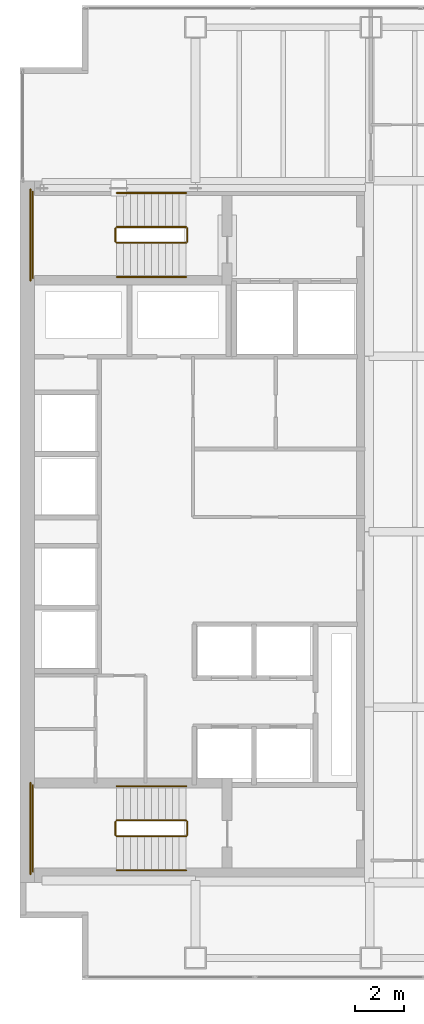
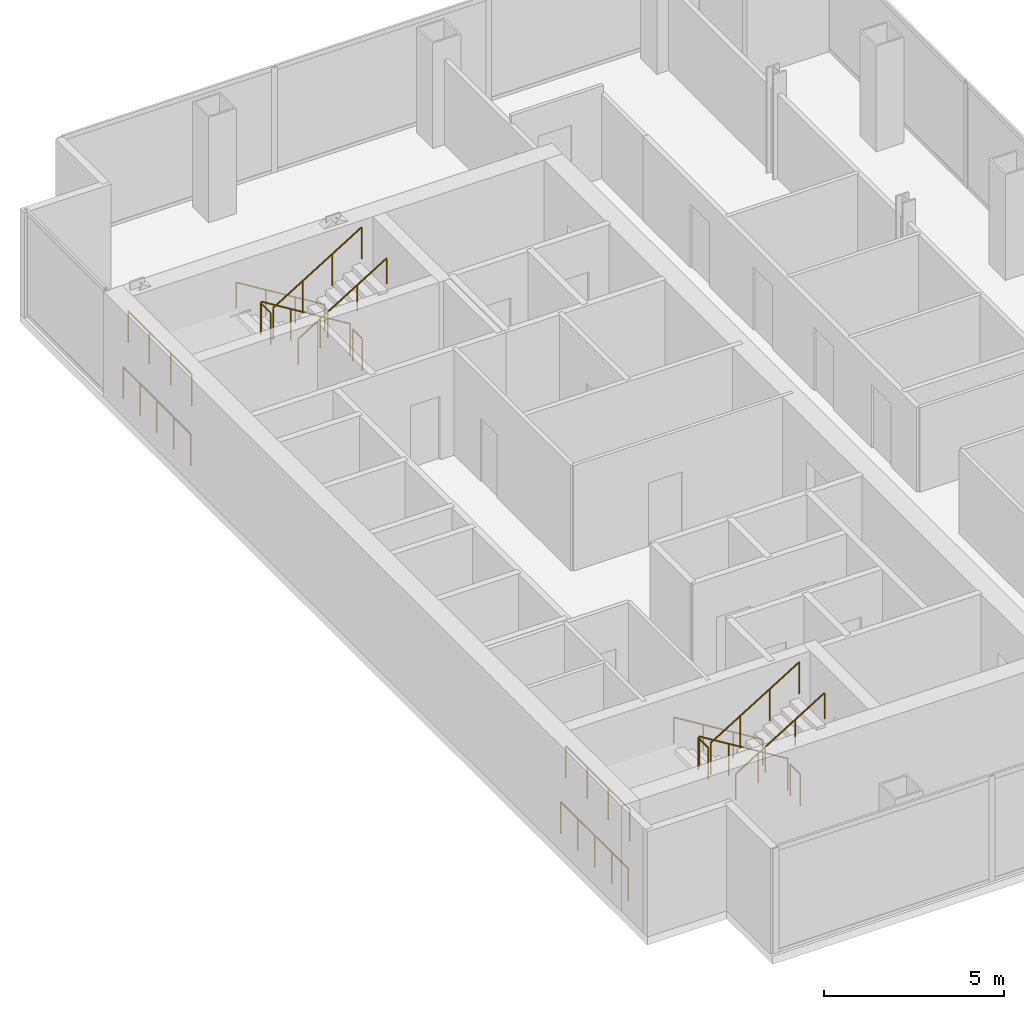
# One storey, part 23 of 23: 16 railings.
"""IFC4 building model written with IfcOpenShell, lengths in metres."""

from ifc_helpers import new_model, si_unit, direction, frame, origin, origin_2d, place, context, subcontext, project, spatial, circle, extrude, material, type_object, element, save


model = new_model("IFC4")

# Units and contexts
model_context = context("Model", 3, precision=1e-05, world=origin(), true_north=direction((0.0, 1.0)))
body_context = subcontext(model_context, "Body", "Model", "MODEL_VIEW")
ifc_project = project(units=[si_unit("LENGTHUNIT", "METRE"), si_unit("AREAUNIT", "SQUARE_METRE"), si_unit("VOLUMEUNIT", "CUBIC_METRE"), si_unit("PLANEANGLEUNIT", "RADIAN"), si_unit("MASSUNIT", "GRAM", prefix="KILO")], contexts=[model_context])

# Site, building, storey
site_placement = place(None, origin())
site = spatial("IfcSite", under=ifc_project, at=site_placement, CompositionType="ELEMENT")
building_placement = place(site_placement, origin())
building = spatial("IfcBuilding", under=site, at=building_placement, Name="Cobrela Telecom Tower", CompositionType="ELEMENT")
storey_placement = place(building_placement, frame((0.0, 0.0, 133.0)))
storey = spatial("IfcBuildingStorey", under=building, at=storey_placement, Name="L33", CompositionType="ELEMENT", Elevation=133.0)

# Railings
ifc_material = material(Name="Steel ASTM A36", Category="steel")
railing_type_1 = type_object("IfcRailingType", Name="RAIL-GUARD-1100", PredefinedType="GUARDRAIL", material=ifc_material)
railing_1_placement = place(storey_placement, frame((6.820068359375, 34.10009765625, 0.175048828125)))
element("IfcRailing", 1, at=railing_1_placement, inside=storey, type_object=railing_type_1, Name="L33 ST1 stair guard 1", PredefinedType="GUARDRAIL", context=body_context, shape_type="SweptSolid", body=[
    extrude(circle(Radius=0.02392578125, at=origin_2d()), frame((0.0, 0.0, 1.076171875), z_axis=(-0.852179220489, 0.0, 0.52325001306), x_axis=(0.0, -1.0, 0.0)), (0.0, 0.0, 1.0), 3.344482421875),
    extrude(circle(Radius=0.02099609375, at=origin_2d()), origin(), (0.0, 0.0, 1.0), 1.052001953125),
    extrude(circle(Radius=0.02099609375, at=origin_2d()), frame((-0.949951171875, 0.0, 0.583251953125)), (0.0, 0.0, 1.0), 1.052001953125),
    extrude(circle(Radius=0.02099609375, at=origin_2d()), frame((-1.900146484375, 0.0, 1.166748046875)), (0.0, 0.0, 1.0), 1.052001953125),
    extrude(circle(Radius=0.02099609375, at=origin_2d()), frame((-2.85009765625, 0.0, 1.75)), (0.0, 0.0, 1.0), 1.052001953125),
])
railing_2_placement = place(storey_placement, frame((3.919921875, 34.050048828125, 1.925048828125)))
element("IfcRailing", 2, at=railing_2_placement, inside=storey, type_object=railing_type_1, Name="L33 ST1 stair guard 2", PredefinedType="GUARDRAIL", context=body_context, shape_type="SweptSolid", body=[
    extrude(circle(Radius=0.02392578125, at=origin_2d()), frame((0.0, 0.0, 1.076171875), z_axis=(0.0, -1.0, 0.0), x_axis=(1.0, 0.0, 0.0)), (0.0, 0.0, 1.0), 0.550048828125),
    extrude(circle(Radius=0.02099609375, at=origin_2d()), origin(), (0.0, 0.0, 1.0), 1.052001953125),
    extrude(circle(Radius=0.02099609375, at=origin_2d()), frame((0.0, -0.550048828125, 0.0)), (0.0, 0.0, 1.0), 1.052001953125),
])
railing_3_placement = place(storey_placement, frame((0.530029296875, 35.550048828125, 1.925048828125)))
element("IfcRailing", 3, at=railing_3_placement, inside=storey, type_object=railing_type_1, Name="L33 ST1 stair guard 3", PredefinedType="GUARDRAIL", context=body_context, shape_type="SweptSolid", body=[
    extrude(circle(Radius=0.02392578125, at=origin_2d()), frame((0.0, 0.0, 1.076171875), z_axis=(0.0, -1.0, 0.0), x_axis=(1.0, 0.0, 0.0)), (0.0, 0.0, 1.0), 3.550048828125),
    extrude(circle(Radius=0.02099609375, at=origin_2d()), origin(), (0.0, 0.0, 1.0), 1.052001953125),
    extrude(circle(Radius=0.02099609375, at=origin_2d()), frame((0.0, -1.183349609375, 0.0)), (0.0, 0.0, 1.0), 1.052001953125),
    extrude(circle(Radius=0.02099609375, at=origin_2d()), frame((0.0, -2.36669921875, 0.0)), (0.0, 0.0, 1.0), 1.052001953125),
    extrude(circle(Radius=0.02099609375, at=origin_2d()), frame((0.0, -3.550048828125, 0.0)), (0.0, 0.0, 1.0), 1.052001953125),
])
railing_4_placement = place(storey_placement, frame((3.969970703125, 33.449951171875, 2.10009765625)))
element("IfcRailing", 4, at=railing_4_placement, inside=storey, type_object=railing_type_1, Name="L33 ST1 stair guard 4", PredefinedType="GUARDRAIL", context=body_context, shape_type="SweptSolid", body=[
    extrude(circle(Radius=0.02392578125, at=origin_2d()), frame((0.0, 0.0, 1.076171875), z_axis=(0.852179220489, 0.0, 0.52325001306), x_axis=(0.0, 1.0, 0.0)), (0.0, 0.0, 1.0), 3.344482421875),
    extrude(circle(Radius=0.02099609375, at=origin_2d()), origin(), (0.0, 0.0, 1.0), 1.052001953125),
    extrude(circle(Radius=0.02099609375, at=origin_2d()), frame((0.949951171875, 0.0, 0.583251953125)), (0.0, 0.0, 1.0), 1.052001953125),
    extrude(circle(Radius=0.02099609375, at=origin_2d()), frame((1.900146484375, 0.0, 1.166748046875)), (0.0, 0.0, 1.0), 1.052001953125),
    extrude(circle(Radius=0.02099609375, at=origin_2d()), frame((2.85009765625, 0.0, 1.75)), (0.0, 0.0, 1.0), 1.052001953125),
])
railing_5_placement = place(storey_placement, frame((6.8701171875, 34.050048828125, 0.0)))
element("IfcRailing", 5, at=railing_5_placement, inside=storey, type_object=railing_type_1, Name="L33 ST1 stair guard 5", PredefinedType="GUARDRAIL", context=body_context, shape_type="SweptSolid", body=[
    extrude(circle(Radius=0.02392578125, at=origin_2d()), frame((0.0, 0.0, 1.076171875), z_axis=(0.0, -1.0, 0.0), x_axis=(1.0, 0.0, 0.0)), (0.0, 0.0, 1.0), 0.550048828125),
    extrude(circle(Radius=0.02099609375, at=origin_2d()), origin(), (0.0, 0.0, 1.0), 1.052001953125),
    extrude(circle(Radius=0.02099609375, at=origin_2d()), frame((0.0, -0.550048828125, 0.0)), (0.0, 0.0, 1.0), 1.052001953125),
])
railing_6_placement = place(storey_placement, frame((0.429931640625, 35.64990234375, 0.0)))
element("IfcRailing", 6, at=railing_6_placement, inside=storey, type_object=railing_type_1, Name="L33 ST1 stair guard 6", PredefinedType="GUARDRAIL", context=body_context, shape_type="SweptSolid", body=[
    extrude(circle(Radius=0.02392578125, at=origin_2d()), frame((0.0, 0.0, 1.076171875), z_axis=(0.0, -1.0, 0.0), x_axis=(1.0, 0.0, 0.0)), (0.0, 0.0, 1.0), 3.75),
    extrude(circle(Radius=0.02099609375, at=origin_2d()), origin(), (0.0, 0.0, 1.0), 1.052001953125),
    extrude(circle(Radius=0.02099609375, at=origin_2d()), frame((0.0, -0.9375, 0.0)), (0.0, 0.0, 1.0), 1.052001953125),
    extrude(circle(Radius=0.02099609375, at=origin_2d()), frame((0.0, -1.875, 0.0)), (0.0, 0.0, 1.0), 1.052001953125),
    extrude(circle(Radius=0.02099609375, at=origin_2d()), frame((0.0, -2.8125, 0.0)), (0.0, 0.0, 1.0), 1.052001953125),
    extrude(circle(Radius=0.02099609375, at=origin_2d()), frame((0.0, -3.75, 0.0)), (0.0, 0.0, 1.0), 1.052001953125),
])
railing_7_placement = place(storey_placement, frame((6.820068359375, 9.75, 0.175048828125)))
element("IfcRailing", 7, at=railing_7_placement, inside=storey, type_object=railing_type_1, Name="L33 ST2 stair guard 1", PredefinedType="GUARDRAIL", context=body_context, shape_type="SweptSolid", body=[
    extrude(circle(Radius=0.02392578125, at=origin_2d()), frame((0.0, 0.0, 1.076171875), z_axis=(-0.852179220489, 0.0, 0.52325001306), x_axis=(0.0, -1.0, 0.0)), (0.0, 0.0, 1.0), 3.344482421875),
    extrude(circle(Radius=0.02099609375, at=origin_2d()), origin(), (0.0, 0.0, 1.0), 1.052001953125),
    extrude(circle(Radius=0.02099609375, at=origin_2d()), frame((-0.949951171875, 0.0, 0.583251953125)), (0.0, 0.0, 1.0), 1.052001953125),
    extrude(circle(Radius=0.02099609375, at=origin_2d()), frame((-1.900146484375, 0.0, 1.166748046875)), (0.0, 0.0, 1.0), 1.052001953125),
    extrude(circle(Radius=0.02099609375, at=origin_2d()), frame((-2.85009765625, 0.0, 1.75)), (0.0, 0.0, 1.0), 1.052001953125),
])
railing_8_placement = place(storey_placement, frame((3.919921875, 9.699951171875, 1.925048828125)))
element("IfcRailing", 8, at=railing_8_placement, inside=storey, type_object=railing_type_1, Name="L33 ST2 stair guard 2", PredefinedType="GUARDRAIL", context=body_context, shape_type="SweptSolid", body=[
    extrude(circle(Radius=0.02392578125, at=origin_2d()), frame((0.0, 0.0, 1.076171875), z_axis=(0.0, -1.0, 0.0), x_axis=(1.0, 0.0, 0.0)), (0.0, 0.0, 1.0), 0.550048828125),
    extrude(circle(Radius=0.02099609375, at=origin_2d()), origin(), (0.0, 0.0, 1.0), 1.052001953125),
    extrude(circle(Radius=0.02099609375, at=origin_2d()), frame((0.0, -0.550048828125, 0.0)), (0.0, 0.0, 1.0), 1.052001953125),
])
railing_9_placement = place(storey_placement, frame((0.530029296875, 11.199951171875, 1.925048828125)))
element("IfcRailing", 9, at=railing_9_placement, inside=storey, type_object=railing_type_1, Name="L33 ST2 stair guard 3", PredefinedType="GUARDRAIL", context=body_context, shape_type="SweptSolid", body=[
    extrude(circle(Radius=0.02392578125, at=origin_2d()), frame((0.0, 0.0, 1.076171875), z_axis=(0.0, -1.0, 0.0), x_axis=(1.0, 0.0, 0.0)), (0.0, 0.0, 1.0), 3.550048828125),
    extrude(circle(Radius=0.02099609375, at=origin_2d()), origin(), (0.0, 0.0, 1.0), 1.052001953125),
    extrude(circle(Radius=0.02099609375, at=origin_2d()), frame((0.0, -1.183349609375, 0.0)), (0.0, 0.0, 1.0), 1.052001953125),
    extrude(circle(Radius=0.02099609375, at=origin_2d()), frame((0.0, -2.36669921875, 0.0)), (0.0, 0.0, 1.0), 1.052001953125),
    extrude(circle(Radius=0.02099609375, at=origin_2d()), frame((0.0, -3.550048828125, 0.0)), (0.0, 0.0, 1.0), 1.052001953125),
])
railing_10_placement = place(storey_placement, frame((3.969970703125, 9.10009765625, 2.10009765625)))
element("IfcRailing", 10, at=railing_10_placement, inside=storey, type_object=railing_type_1, Name="L33 ST2 stair guard 4", PredefinedType="GUARDRAIL", context=body_context, shape_type="SweptSolid", body=[
    extrude(circle(Radius=0.02392578125, at=origin_2d()), frame((0.0, 0.0, 1.076171875), z_axis=(0.852179220489, 0.0, 0.52325001306), x_axis=(0.0, 1.0, 0.0)), (0.0, 0.0, 1.0), 3.344482421875),
    extrude(circle(Radius=0.02099609375, at=origin_2d()), origin(), (0.0, 0.0, 1.0), 1.052001953125),
    extrude(circle(Radius=0.02099609375, at=origin_2d()), frame((0.949951171875, 0.0, 0.583251953125)), (0.0, 0.0, 1.0), 1.052001953125),
    extrude(circle(Radius=0.02099609375, at=origin_2d()), frame((1.900146484375, 0.0, 1.166748046875)), (0.0, 0.0, 1.0), 1.052001953125),
    extrude(circle(Radius=0.02099609375, at=origin_2d()), frame((2.85009765625, 0.0, 1.75)), (0.0, 0.0, 1.0), 1.052001953125),
])
railing_11_placement = place(storey_placement, frame((6.8701171875, 9.699951171875, 0.0)))
element("IfcRailing", 11, at=railing_11_placement, inside=storey, type_object=railing_type_1, Name="L33 ST2 stair guard 5", PredefinedType="GUARDRAIL", context=body_context, shape_type="SweptSolid", body=[
    extrude(circle(Radius=0.02392578125, at=origin_2d()), frame((0.0, 0.0, 1.076171875), z_axis=(0.0, -1.0, 0.0), x_axis=(1.0, 0.0, 0.0)), (0.0, 0.0, 1.0), 0.550048828125),
    extrude(circle(Radius=0.02099609375, at=origin_2d()), origin(), (0.0, 0.0, 1.0), 1.052001953125),
    extrude(circle(Radius=0.02099609375, at=origin_2d()), frame((0.0, -0.550048828125, 0.0)), (0.0, 0.0, 1.0), 1.052001953125),
])
railing_12_placement = place(storey_placement, frame((0.429931640625, 11.300048828125, 0.0)))
element("IfcRailing", 12, at=railing_12_placement, inside=storey, type_object=railing_type_1, Name="L33 ST2 stair guard 6", PredefinedType="GUARDRAIL", context=body_context, shape_type="SweptSolid", body=[
    extrude(circle(Radius=0.02392578125, at=origin_2d()), frame((0.0, 0.0, 1.076171875), z_axis=(0.0, -1.0, 0.0), x_axis=(1.0, 0.0, 0.0)), (0.0, 0.0, 1.0), 3.75),
    extrude(circle(Radius=0.02099609375, at=origin_2d()), origin(), (0.0, 0.0, 1.0), 1.052001953125),
    extrude(circle(Radius=0.02099609375, at=origin_2d()), frame((0.0, -0.9375, 0.0)), (0.0, 0.0, 1.0), 1.052001953125),
    extrude(circle(Radius=0.02099609375, at=origin_2d()), frame((0.0, -1.875, 0.0)), (0.0, 0.0, 1.0), 1.052001953125),
    extrude(circle(Radius=0.02099609375, at=origin_2d()), frame((0.0, -2.8125, 0.0)), (0.0, 0.0, 1.0), 1.052001953125),
    extrude(circle(Radius=0.02099609375, at=origin_2d()), frame((0.0, -3.75, 0.0)), (0.0, 0.0, 1.0), 1.052001953125),
])
railing_type_2 = type_object("IfcRailingType", Name="RAIL-HAND-920", PredefinedType="HANDRAIL", material=ifc_material)
railing_13_placement = place(storey_placement, frame((6.820068359375, 35.5, 0.175048828125)))
element("IfcRailing", 13, at=railing_13_placement, inside=storey, type_object=railing_type_2, Name="L33 ST1 stair handrail 1", PredefinedType="HANDRAIL", context=body_context, shape_type="SweptSolid", body=[
    extrude(circle(Radius=0.02392578125, at=origin_2d()), frame((0.0, 0.0, 0.8759765625), z_axis=(-0.852179220489, 0.0, 0.52325001306), x_axis=(0.0, -1.0, 0.0)), (0.0, 0.0, 1.0), 3.344482421875),
    extrude(circle(Radius=0.02099609375, at=origin_2d()), origin(), (0.0, 0.0, 1.0), 0.851806640625),
    extrude(circle(Radius=0.02099609375, at=origin_2d()), frame((-0.949951171875, 0.0, 0.583251953125)), (0.0, 0.0, 1.0), 0.851806640625),
    extrude(circle(Radius=0.02099609375, at=origin_2d()), frame((-1.900146484375, 0.0, 1.166748046875)), (0.0, 0.0, 1.0), 0.851806640625),
    extrude(circle(Radius=0.02099609375, at=origin_2d()), frame((-2.85009765625, 0.0, 1.75)), (0.0, 0.0, 1.0), 0.851806640625),
])
railing_14_placement = place(storey_placement, frame((3.969970703125, 32.050048828125, 2.10009765625)))
element("IfcRailing", 14, at=railing_14_placement, inside=storey, type_object=railing_type_2, Name="L33 ST1 stair handrail 2", PredefinedType="HANDRAIL", context=body_context, shape_type="SweptSolid", body=[
    extrude(circle(Radius=0.02392578125, at=origin_2d()), frame((0.0, 0.0, 0.8759765625), z_axis=(0.852179220489, 0.0, 0.52325001306), x_axis=(0.0, 1.0, 0.0)), (0.0, 0.0, 1.0), 3.344482421875),
    extrude(circle(Radius=0.02099609375, at=origin_2d()), origin(), (0.0, 0.0, 1.0), 0.851806640625),
    extrude(circle(Radius=0.02099609375, at=origin_2d()), frame((0.949951171875, 0.0, 0.583251953125)), (0.0, 0.0, 1.0), 0.851806640625),
    extrude(circle(Radius=0.02099609375, at=origin_2d()), frame((1.900146484375, 0.0, 1.166748046875)), (0.0, 0.0, 1.0), 0.851806640625),
    extrude(circle(Radius=0.02099609375, at=origin_2d()), frame((2.85009765625, 0.0, 1.75)), (0.0, 0.0, 1.0), 0.851806640625),
])
railing_15_placement = place(storey_placement, frame((6.820068359375, 11.14990234375, 0.175048828125)))
element("IfcRailing", 15, at=railing_15_placement, inside=storey, type_object=railing_type_2, Name="L33 ST2 stair handrail 1", PredefinedType="HANDRAIL", context=body_context, shape_type="SweptSolid", body=[
    extrude(circle(Radius=0.02392578125, at=origin_2d()), frame((0.0, 0.0, 0.8759765625), z_axis=(-0.852179220489, 0.0, 0.52325001306), x_axis=(0.0, -1.0, 0.0)), (0.0, 0.0, 1.0), 3.344482421875),
    extrude(circle(Radius=0.02099609375, at=origin_2d()), origin(), (0.0, 0.0, 1.0), 0.851806640625),
    extrude(circle(Radius=0.02099609375, at=origin_2d()), frame((-0.949951171875, 0.0, 0.583251953125)), (0.0, 0.0, 1.0), 0.851806640625),
    extrude(circle(Radius=0.02099609375, at=origin_2d()), frame((-1.900146484375, 0.0, 1.166748046875)), (0.0, 0.0, 1.0), 0.851806640625),
    extrude(circle(Radius=0.02099609375, at=origin_2d()), frame((-2.85009765625, 0.0, 1.75)), (0.0, 0.0, 1.0), 0.851806640625),
])
railing_16_placement = place(storey_placement, frame((3.969970703125, 7.699951171875, 2.10009765625)))
element("IfcRailing", 16, at=railing_16_placement, inside=storey, type_object=railing_type_2, Name="L33 ST2 stair handrail 2", PredefinedType="HANDRAIL", context=body_context, shape_type="SweptSolid", body=[
    extrude(circle(Radius=0.02392578125, at=origin_2d()), frame((0.0, 0.0, 0.8759765625), z_axis=(0.852179220489, 0.0, 0.52325001306), x_axis=(0.0, 1.0, 0.0)), (0.0, 0.0, 1.0), 3.344482421875),
    extrude(circle(Radius=0.02099609375, at=origin_2d()), origin(), (0.0, 0.0, 1.0), 0.851806640625),
    extrude(circle(Radius=0.02099609375, at=origin_2d()), frame((0.949951171875, 0.0, 0.583251953125)), (0.0, 0.0, 1.0), 0.851806640625),
    extrude(circle(Radius=0.02099609375, at=origin_2d()), frame((1.900146484375, 0.0, 1.166748046875)), (0.0, 0.0, 1.0), 0.851806640625),
    extrude(circle(Radius=0.02099609375, at=origin_2d()), frame((2.85009765625, 0.0, 1.75)), (0.0, 0.0, 1.0), 0.851806640625),
])

save(model, "model.ifc")
